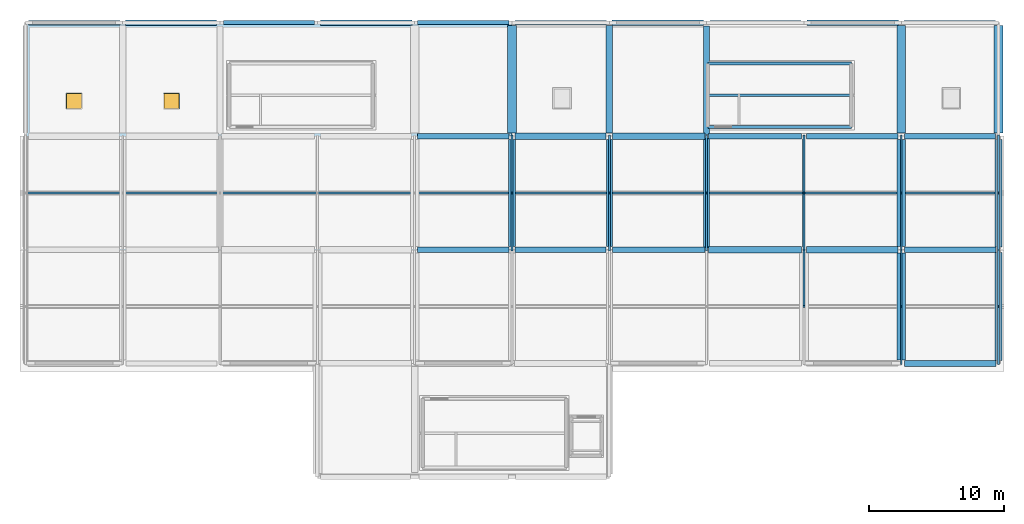
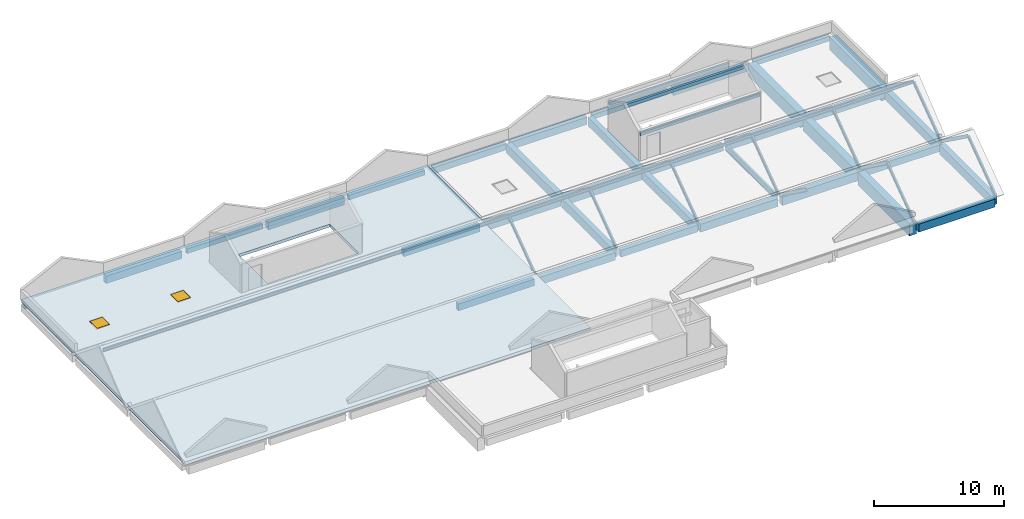
# One storey, part 2 of 5: 39 beams, 18 members, 2 doors, 1 slab, 2 openings.
"""IFC4 building model written with IfcOpenShell, lengths in metres."""

from ifc_helpers import new_model, si_unit, direction, frame, origin, origin_2d, place, context, subcontext, project, spatial, polyline, rectangle, i_section, outline, extrude, material, layer, layer_set, material_profile, profile_set, type_object, element, fill, save


model = new_model("IFC4")

# Units and contexts
model_context = context("Model", 3, precision=1e-05, world=origin(), true_north=direction((0.0, 1.0)))
body_context = subcontext(model_context, "Body", "Model", "MODEL_VIEW")
ifc_project = project(units=[si_unit("LENGTHUNIT", "METRE"), si_unit("AREAUNIT", "SQUARE_METRE"), si_unit("VOLUMEUNIT", "CUBIC_METRE"), si_unit("PLANEANGLEUNIT", "RADIAN"), si_unit("MASSUNIT", "GRAM", prefix="KILO")], contexts=[model_context])

# Site, building, storey
site_placement = place(None, origin())
site = spatial("IfcSite", under=ifc_project, at=site_placement, CompositionType="ELEMENT")
building_placement = place(site_placement, origin())
building = spatial("IfcBuilding", under=site, at=building_placement, Name="Kalluvel Institute of Natural Sciences", CompositionType="ELEMENT")
storey_placement = place(building_placement, frame((0.0, 0.0, 41.39990234375)))
storey = spatial("IfcBuildingStorey", under=building, at=storey_placement, Name="RF", CompositionType="ELEMENT", Elevation=41.39990234375)

# Beams
ifc_material_1 = material(Name="Steel E350 Grade 350", Category="steel")
ifc_material_profile_1 = material_profile(ifc_material_1, i_section(OverallWidth=0.18994140625, OverallDepth=0.550048828125, WebThickness=0.01123046875, FlangeThickness=0.019287109375, FilletRadius=0.01806640625, at=origin_2d()), Name="ISMB 550")
ifc_profile_set_1 = profile_set([ifc_material_profile_1], Name="Steel E350 Grade 350")
beam_type_1 = type_object("IfcBeamType", Name="BM-ISMB550", PredefinedType="BEAM", material=ifc_profile_set_1)
beam_1_placement = place(storey_placement, frame((71.60009765625, 111.39990234375, -0.594970703125), z_axis=(0.0, 1.0, 0.0), x_axis=(-1.0, 0.0, 0.0)))
element("IfcBeam", 1, at=beam_1_placement, inside=storey, type_object=beam_type_1, Name="RF girder GIR-RF-NS-X716-Y1112", PredefinedType="BEAM", context=body_context, shape_type="SweptSolid", body=[
    extrude(i_section(OverallWidth=0.18994140625, OverallDepth=0.550048828125, WebThickness=0.01123046875, FlangeThickness=0.019287109375, FilletRadius=0.01806640625, at=origin_2d()), origin(), (0.0, 0.0, 1.0), 8.0),
])
ifc_material_2 = material(Name="Concrete M40", Category="concrete")
ifc_material_profile_2 = material_profile(ifc_material_2, rectangle(XDim=0.3798828125, YDim=0.639892578125, at=origin_2d()), Name="RCB 380x640")
ifc_profile_set_2 = profile_set([ifc_material_profile_2], Name="Concrete M40")
beam_type_2 = type_object("IfcBeamType", Name="BM-RC380x640", PredefinedType="BEAM", material=ifc_profile_set_2)
beam_2_placement = place(storey_placement, frame((43.02490234375, 111.199951171875, -0.639892578125), z_axis=(1.0, 0.0, 0.0), x_axis=(0.0, 1.0, 0.0)))
element("IfcBeam", 2, at=beam_2_placement, inside=storey, type_object=beam_type_2, Name="RF girder GIR-RF-EW-X428-Y1112", PredefinedType="BEAM", context=body_context, shape_type="SweptSolid", body=[
    extrude(rectangle(XDim=0.3798828125, YDim=0.639892578125, at=origin_2d()), origin(), (0.0, 0.0, 1.0), 6.75),
])
beam_3_placement = place(storey_placement, frame((79.02490234375, 111.199951171875, -0.639892578125), z_axis=(1.0, 0.0, 0.0), x_axis=(0.0, 1.0, 0.0)))
element("IfcBeam", 3, at=beam_3_placement, inside=storey, type_object=beam_type_2, Name="RF girder GIR-RF-EW-X788-Y1112", PredefinedType="BEAM", context=body_context, shape_type="SweptSolid", body=[
    extrude(rectangle(XDim=0.3798828125, YDim=0.639892578125, at=origin_2d()), origin(), (0.0, 0.0, 1.0), 6.775146484375),
])
beam_4_placement = place(storey_placement, frame((64.52490234375, 119.60009765625, -0.639892578125), z_axis=(1.0, 0.0, 0.0), x_axis=(0.0, 1.0, 0.0)))
element("IfcBeam", 4, at=beam_4_placement, inside=storey, type_object=beam_type_2, Name="RF girder GIR-RF-EW-X644-Y1196", PredefinedType="BEAM", context=body_context, shape_type="SweptSolid", body=[
    extrude(rectangle(XDim=0.3798828125, YDim=0.639892578125, at=origin_2d()), origin(), (0.0, 0.0, 1.0), 6.875),
])
ifc_material_profile_3 = material_profile(ifc_material_2, rectangle(XDim=0.39990234375, YDim=0.64990234375, at=origin_2d()), Name="RCB 400x650")
ifc_profile_set_3 = profile_set([ifc_material_profile_3], Name="Concrete M40")
beam_type_3 = type_object("IfcBeamType", Name="BM-RC400x650", PredefinedType="BEAM", material=ifc_profile_set_3)
beam_5_placement = place(storey_placement, frame((57.449951171875, 111.199951171875, -0.64501953125), z_axis=(1.0, 0.0, 0.0), x_axis=(0.0, 1.0, 0.0)))
element("IfcBeam", 5, at=beam_5_placement, inside=storey, type_object=beam_type_3, Name="RF girder GIR-RF-EW-X572-Y1112", PredefinedType="BEAM", context=body_context, shape_type="SweptSolid", body=[
    extrude(rectangle(XDim=0.39990234375, YDim=0.64990234375, at=origin_2d()), origin(), (0.0, 0.0, 1.0), 6.824951171875),
])
for number, where, z_axis, x_axis, name in (
    (6, (43.02490234375, 119.60009765625, -0.64501953125), (1.0, 0.0, 0.0), (0.0, 1.0, 0.0), "RF girder GIR-RF-EW-X428-Y1196"),
    (7, (79.02490234375, 119.60009765625, -0.64501953125), (1.0, 0.0, 0.0), (0.0, 1.0, 0.0), "RF girder GIR-RF-EW-X788-Y1196"),
):
    element("IfcBeam", number, at=place(storey_placement, frame(where, z_axis=z_axis, x_axis=x_axis)), inside=storey, type_object=beam_type_3, Name=name, PredefinedType="BEAM", context=body_context, shape_type="SweptSolid", body=[
        extrude(rectangle(XDim=0.39990234375, YDim=0.64990234375, at=origin_2d()), origin(), (0.0, 0.0, 1.0), 6.75),
    ])
ifc_material_profile_4 = material_profile(ifc_material_2, rectangle(XDim=0.419921875, YDim=0.719970703125, at=origin_2d()), Name="RCB 420x720")
ifc_profile_set_4 = profile_set([ifc_material_profile_4], Name="Concrete M40")
beam_type_4 = type_object("IfcBeamType", Name="BM-RC420x720", PredefinedType="BEAM", material=ifc_profile_set_4)
beam_6_placement = place(storey_placement, frame((50.22509765625, 111.199951171875, -0.679931640625), z_axis=(1.0, 0.0, 0.0), x_axis=(0.0, 1.0, 0.0)))
element("IfcBeam", 8, at=beam_6_placement, inside=storey, type_object=beam_type_4, Name="RF girder GIR-RF-EW-X500-Y1112", PredefinedType="BEAM", context=body_context, shape_type="SweptSolid", body=[
    extrude(rectangle(XDim=0.419921875, YDim=0.719970703125, at=origin_2d()), origin(), (0.0, 0.0, 1.0), 6.724853515625),
])
beam_7_placement = place(storey_placement, frame((71.800048828125, 119.60009765625, -0.679931640625), z_axis=(1.0, 0.0, 0.0), x_axis=(0.0, 1.0, 0.0)))
element("IfcBeam", 9, at=beam_7_placement, inside=storey, type_object=beam_type_4, Name="RF girder GIR-RF-EW-X716-Y1196", PredefinedType="BEAM", context=body_context, shape_type="SweptSolid", body=[
    extrude(rectangle(XDim=0.419921875, YDim=0.719970703125, at=origin_2d()), origin(), (0.0, 0.0, 1.0), 6.77490234375),
])
ifc_material_profile_5 = material_profile(ifc_material_2, rectangle(XDim=0.449951171875, YDim=0.75, at=origin_2d()), Name="RCB 450x750")
ifc_profile_set_5 = profile_set([ifc_material_profile_5], Name="Concrete M40")
beam_type_5 = type_object("IfcBeamType", Name="BM-RC450x750", PredefinedType="BEAM", material=ifc_profile_set_5)
beam_8_placement = place(storey_placement, frame((79.050048828125, 102.800048828125, -0.69482421875), z_axis=(1.0, 0.0, 0.0), x_axis=(0.0, 1.0, 0.0)))
element("IfcBeam", 10, at=beam_8_placement, inside=storey, type_object=beam_type_5, Name="RF girder GIR-RF-EW-X788-Y1028", PredefinedType="BEAM", context=body_context, shape_type="SweptSolid", body=[
    extrude(rectangle(XDim=0.449951171875, YDim=0.75, at=origin_2d()), origin(), (0.0, 0.0, 1.0), 6.75),
])
beam_9_placement = place(storey_placement, frame((64.52490234375, 111.199951171875, -0.69482421875), z_axis=(1.0, 0.0, 0.0), x_axis=(0.0, 1.0, 0.0)))
element("IfcBeam", 11, at=beam_9_placement, inside=storey, type_object=beam_type_5, Name="RF girder GIR-RF-EW-X644-Y1112", PredefinedType="BEAM", context=body_context, shape_type="SweptSolid", body=[
    extrude(rectangle(XDim=0.449951171875, YDim=0.75, at=origin_2d()), origin(), (0.0, 0.0, 1.0), 6.875),
])
beam_10_placement = place(storey_placement, frame((50.22509765625, 119.60009765625, -0.69482421875), z_axis=(1.0, 0.0, 0.0), x_axis=(0.0, 1.0, 0.0)))
element("IfcBeam", 12, at=beam_10_placement, inside=storey, type_object=beam_type_5, Name="RF girder GIR-RF-EW-X500-Y1196", PredefinedType="BEAM", context=body_context, shape_type="SweptSolid", body=[
    extrude(rectangle(XDim=0.449951171875, YDim=0.75, at=origin_2d()), origin(), (0.0, 0.0, 1.0), 6.724853515625),
])
ifc_material_profile_6 = material_profile(ifc_material_2, rectangle(XDim=0.449951171875, YDim=0.800048828125, at=origin_2d()), Name="RCB 450x800")
ifc_profile_set_6 = profile_set([ifc_material_profile_6], Name="Concrete M40")
beam_type_6 = type_object("IfcBeamType", Name="BM-RC450x800", PredefinedType="BEAM", material=ifc_profile_set_6)
beam_11_placement = place(storey_placement, frame((71.800048828125, 111.199951171875, -0.719970703125), z_axis=(1.0, 0.0, 0.0), x_axis=(0.0, 1.0, 0.0)))
element("IfcBeam", 13, at=beam_11_placement, inside=storey, type_object=beam_type_6, Name="RF girder GIR-RF-EW-X716-Y1112", PredefinedType="BEAM", context=body_context, shape_type="SweptSolid", body=[
    extrude(rectangle(XDim=0.449951171875, YDim=0.800048828125, at=origin_2d()), origin(), (0.0, 0.0, 1.0), 6.77490234375),
])
beam_12_placement = place(storey_placement, frame((57.449951171875, 119.60009765625, -0.719970703125), z_axis=(1.0, 0.0, 0.0), x_axis=(0.0, 1.0, 0.0)))
element("IfcBeam", 14, at=beam_12_placement, inside=storey, type_object=beam_type_6, Name="RF girder GIR-RF-EW-X572-Y1196", PredefinedType="BEAM", context=body_context, shape_type="SweptSolid", body=[
    extrude(rectangle(XDim=0.449951171875, YDim=0.800048828125, at=origin_2d()), origin(), (0.0, 0.0, 1.0), 6.824951171875),
])
beam_13_placement = place(storey_placement, frame((57.199951171875, 111.449951171875, -0.719970703125), z_axis=(0.0, 1.0, 0.0), x_axis=(-1.0, 0.0, 0.0)))
element("IfcBeam", 15, at=beam_13_placement, inside=storey, type_object=beam_type_6, Name="RF girder GIR-RF-NS-X572-Y1112", PredefinedType="BEAM", context=body_context, shape_type="SweptSolid", body=[
    extrude(rectangle(XDim=0.449951171875, YDim=0.800048828125, at=origin_2d()), origin(), (0.0, 0.0, 1.0), 7.900146484375),
])
beam_14_placement = place(storey_placement, frame((64.39990234375, 111.324951171875, -0.719970703125), z_axis=(0.0, 1.0, 0.0), x_axis=(-1.0, 0.0, 0.0)))
element("IfcBeam", 16, at=beam_14_placement, inside=storey, type_object=beam_type_6, Name="RF girder GIR-RF-NS-X644-Y1112", PredefinedType="BEAM", context=body_context, shape_type="SweptSolid", body=[
    extrude(rectangle(XDim=0.449951171875, YDim=0.800048828125, at=origin_2d()), origin(), (0.0, 0.0, 1.0), 8.150146484375),
])
beam_15_placement = place(storey_placement, frame((64.39990234375, 119.72509765625, -0.719970703125), z_axis=(0.0, 1.0, 0.0), x_axis=(-1.0, 0.0, 0.0)))
element("IfcBeam", 17, at=beam_15_placement, inside=storey, type_object=beam_type_6, Name="RF girder GIR-RF-NS-X644-Y1196", PredefinedType="BEAM", context=body_context, shape_type="SweptSolid", body=[
    extrude(rectangle(XDim=0.449951171875, YDim=0.800048828125, at=origin_2d()), origin(), (0.0, 0.0, 1.0), 8.02490234375),
])
ifc_material_3 = material(Name="Concrete M50", Category="concrete")
ifc_material_profile_7 = material_profile(ifc_material_3, rectangle(XDim=0.5, YDim=0.85009765625, at=origin_2d()), Name="RCB 500x850")
ifc_profile_set_7 = profile_set([ifc_material_profile_7], Name="Concrete M50")
beam_type_7 = type_object("IfcBeamType", Name="BM-RC500x850", PredefinedType="BEAM", material=ifc_profile_set_7)
for number, where, z_axis, x_axis, name in (
    (18, (50.0, 111.425048828125, -0.744873046875), (0.0, 1.0, 0.0), (-1.0, 0.0, 0.0), "RF girder GIR-RF-NS-X500-Y1112"),
    (19, (57.199951171875, 119.85009765625, -0.744873046875), (0.0, 1.0, 0.0), (-1.0, 0.0, 0.0), "RF girder GIR-RF-NS-X572-Y1196"),
):
    element("IfcBeam", number, at=place(storey_placement, frame(where, z_axis=z_axis, x_axis=x_axis)), inside=storey, type_object=beam_type_7, Name=name, PredefinedType="BEAM", context=body_context, shape_type="SweptSolid", body=[
        extrude(rectangle(XDim=0.5, YDim=0.85009765625, at=origin_2d()), origin(), (0.0, 0.0, 1.0), 7.949951171875),
    ])
beam_16_placement = place(storey_placement, frame((86.0, 103.0, -0.744873046875), z_axis=(0.0, 1.0, 0.0), x_axis=(-1.0, 0.0, 0.0)))
element("IfcBeam", 20, at=beam_16_placement, inside=storey, type_object=beam_type_7, Name="RF girder GIR-RF-NS-X860-Y1028", PredefinedType="BEAM", context=body_context, shape_type="SweptSolid", body=[
    extrude(rectangle(XDim=0.5, YDim=0.85009765625, at=origin_2d()), origin(), (0.0, 0.0, 1.0), 8.0),
])
beam_17_placement = place(storey_placement, frame((86.0, 111.39990234375, -0.744873046875), z_axis=(0.0, 1.0, 0.0), x_axis=(-1.0, 0.0, 0.0)))
element("IfcBeam", 21, at=beam_17_placement, inside=storey, type_object=beam_type_7, Name="RF girder GIR-RF-NS-X860-Y1112", PredefinedType="BEAM", context=body_context, shape_type="SweptSolid", body=[
    extrude(rectangle(XDim=0.5, YDim=0.85009765625, at=origin_2d()), origin(), (0.0, 0.0, 1.0), 7.97509765625),
])
ifc_material_profile_8 = material_profile(ifc_material_3, rectangle(XDim=0.64990234375, YDim=1.199951171875, at=origin_2d()), Name="RCB 650x1200")
ifc_profile_set_8 = profile_set([ifc_material_profile_8], Name="Concrete M50")
beam_type_8 = type_object("IfcBeamType", Name="BM-RC650x1200", PredefinedType="BEAM", material=ifc_profile_set_8)
beam_18_placement = place(storey_placement, frame((50.0, 119.824951171875, -0.919921875), z_axis=(0.0, 1.0, 0.0), x_axis=(-1.0, 0.0, 0.0)))
element("IfcBeam", 22, at=beam_18_placement, inside=storey, type_object=beam_type_8, Name="RF girder GIR-RF-NS-X500-Y1196", PredefinedType="BEAM", context=body_context, shape_type="SweptSolid", body=[
    extrude(rectangle(XDim=0.64990234375, YDim=1.199951171875, at=origin_2d()), origin(), (0.0, 0.0, 1.0), 7.949951171875),
])
beam_19_placement = place(storey_placement, frame((78.800048828125, 103.050048828125, -0.919921875), z_axis=(0.0, 1.0, 0.0), x_axis=(-1.0, 0.0, 0.0)))
element("IfcBeam", 23, at=beam_19_placement, inside=storey, type_object=beam_type_8, Name="RF girder GIR-RF-NS-X788-Y1028", PredefinedType="BEAM", context=body_context, shape_type="SweptSolid", body=[
    extrude(rectangle(XDim=0.64990234375, YDim=1.199951171875, at=origin_2d()), origin(), (0.0, 0.0, 1.0), 7.925048828125),
])
beam_20_placement = place(storey_placement, frame((78.800048828125, 111.425048828125, -0.919921875), z_axis=(0.0, 1.0, 0.0), x_axis=(-1.0, 0.0, 0.0)))
element("IfcBeam", 24, at=beam_20_placement, inside=storey, type_object=beam_type_8, Name="RF girder GIR-RF-NS-X788-Y1112", PredefinedType="BEAM", context=body_context, shape_type="SweptSolid", body=[
    extrude(rectangle(XDim=0.64990234375, YDim=1.199951171875, at=origin_2d()), origin(), (0.0, 0.0, 1.0), 7.949951171875),
])
beam_21_placement = place(storey_placement, frame((78.800048828125, 119.824951171875, -0.919921875), z_axis=(0.0, 1.0, 0.0), x_axis=(-1.0, 0.0, 0.0)))
element("IfcBeam", 25, at=beam_21_placement, inside=storey, type_object=beam_type_8, Name="RF girder GIR-RF-NS-X788-Y1196", PredefinedType="BEAM", context=body_context, shape_type="SweptSolid", body=[
    extrude(rectangle(XDim=0.64990234375, YDim=1.199951171875, at=origin_2d()), origin(), (0.0, 0.0, 1.0), 7.97509765625),
])
beam_22_placement = place(storey_placement, frame((86.0, 119.824951171875, -0.919921875), z_axis=(0.0, 1.0, 0.0), x_axis=(-1.0, 0.0, 0.0)))
element("IfcBeam", 26, at=beam_22_placement, inside=storey, type_object=beam_type_8, Name="RF girder GIR-RF-NS-X860-Y1196", PredefinedType="BEAM", context=body_context, shape_type="SweptSolid", body=[
    extrude(rectangle(XDim=0.64990234375, YDim=1.199951171875, at=origin_2d()), origin(), (0.0, 0.0, 1.0), 7.949951171875),
])
ifc_material_4 = material(Name="Sadarahalli Granite Precast Concrete M45", Category="masonry")
ifc_material_profile_9 = material_profile(ifc_material_4, rectangle(XDim=0.199951171875, YDim=0.300048828125, at=origin_2d()), Name="LIN 200x300")
ifc_profile_set_9 = profile_set([ifc_material_profile_9], Name="Sadarahalli Granite Precast Concrete M45")
beam_type_9 = type_object("IfcBeamType", Name="LN-200x300-INT", PredefinedType="LINTEL", material=ifc_profile_set_9)
for number, where, z_axis, x_axis, name in (
    (27, (64.485107421875, 122.635009765625, 3.739990234375), (1.0, 0.0, 0.0), (0.0, 1.0, 0.0), "ST2 headhouse ridge beam"),
    (28, (64.485107421875, 120.284912109375, 2.5400390625), (1.0, 0.0, 0.0), (0.0, 1.0, 0.0), "ST2 headhouse S eave beam"),
    (29, (64.485107421875, 124.985107421875, 2.5400390625), (1.0, 0.0, 0.0), (0.0, 1.0, 0.0), "ST2 headhouse N eave beam"),
):
    element("IfcBeam", number, at=place(storey_placement, frame(where, z_axis=z_axis, x_axis=x_axis)), inside=storey, type_object=beam_type_9, Name=name, PredefinedType="LINTEL", context=body_context, shape_type="SweptSolid", body=[
        extrude(rectangle(XDim=0.199951171875, YDim=0.300048828125, at=origin_2d()), origin(), (0.0, 0.0, 1.0), 10.6298828125),
    ])

# Members
ifc_material_profile_10 = material_profile(ifc_material_1, i_section(OverallWidth=0.125, OverallDepth=0.25, WebThickness=0.0068359375, FlangeThickness=0.012451171875, FilletRadius=0.012939453125, at=origin_2d()), Name="ISMB 250")
ifc_profile_set_10 = profile_set([ifc_material_profile_10], Name="Steel E350 Grade 350")
member_type_1 = type_object("IfcMemberType", Name="MB-PURL-ATTIC", PredefinedType="PURLIN", material=ifc_profile_set_10)
member_1_placement = place(storey_placement, frame((14.0, 115.39990234375, 2.8701171875), z_axis=(1.0, 0.0, 0.0), x_axis=(0.0, 1.0, 0.0)))
element("IfcMember", 30, at=member_1_placement, inside=storey, type_object=member_type_1, Name="Wet Wing Gothic roof ridge purlin 2", PredefinedType="PURLIN", context=body_context, shape_type="SweptSolid", body=[
    extrude(i_section(OverallWidth=0.125, OverallDepth=0.25, WebThickness=0.0068359375, FlangeThickness=0.012451171875, FilletRadius=0.012939453125, at=origin_2d()), origin(), (0.0, 0.0, 1.0), 72.0),
])
ifc_material_profile_11 = material_profile(ifc_material_1, i_section(OverallWidth=0.139892578125, OverallDepth=0.300048828125, WebThickness=0.0078125, FlangeThickness=0.01318359375, FilletRadius=0.013916015625, at=origin_2d()), Name="ISMB 300")
ifc_profile_set_11 = profile_set([ifc_material_profile_11], Name="Steel E350 Grade 350")
member_type_2 = type_object("IfcMemberType", Name="MB-RAFT-ISMB300", PredefinedType="RAFTER", material=ifc_profile_set_11)
for number, where, z_axis, x_axis, name in (
    (31, (71.60009765625, 111.199951171875, -0.179931640625), (0.0, -0.809144712888, 0.587609422665), (1.0, 0.0, 0.0), "Wet Wing Gothic roof north rafter 1.9"),
    (32, (78.800048828125, 102.800048828125, -0.179931640625), (0.0, 0.809144712888, 0.587609422665), (-1.0, 0.0, 0.0), "Wet Wing Gothic roof south rafter 1.10"),
    (33, (78.800048828125, 111.199951171875, -0.179931640625), (0.0, -0.809144712888, 0.587609422665), (1.0, 0.0, 0.0), "Wet Wing Gothic roof north rafter 1.10"),
    (34, (86.0, 102.800048828125, -0.179931640625), (0.0, 0.809144712888, 0.587609422665), (-1.0, 0.0, 0.0), "Wet Wing Gothic roof south rafter 1.11"),
    (35, (86.0, 111.199951171875, -0.179931640625), (0.0, -0.809144712888, 0.587609422665), (1.0, 0.0, 0.0), "Wet Wing Gothic roof north rafter 1.11"),
    (36, (50.0, 111.199951171875, -0.179931640625), (0.0, 0.809144712888, 0.587609422665), (-1.0, 0.0, 0.0), "Wet Wing Gothic roof south rafter 2.6"),
):
    element("IfcMember", number, at=place(storey_placement, frame(where, z_axis=z_axis, x_axis=x_axis)), inside=storey, type_object=member_type_2, Name=name, PredefinedType="RAFTER", context=body_context, shape_type="SweptSolid", body=[
        extrude(i_section(OverallWidth=0.139892578125, OverallDepth=0.300048828125, WebThickness=0.0078125, FlangeThickness=0.01318359375, FilletRadius=0.013916015625, at=origin_2d()), origin(), (0.0, 0.0, 1.0), 5.190673828125),
    ])
member_2_placement = place(storey_placement, frame((50.0, 119.60009765625, -0.179931640625), z_axis=(0.0, -0.809160952466, 0.587587059937), x_axis=(1.0, 0.0, 0.0)))
element("IfcMember", 37, at=member_2_placement, inside=storey, type_object=member_type_2, Name="Wet Wing Gothic roof north rafter 2.6", PredefinedType="RAFTER", context=body_context, shape_type="SweptSolid", body=[
    extrude(i_section(OverallWidth=0.139892578125, OverallDepth=0.300048828125, WebThickness=0.0078125, FlangeThickness=0.01318359375, FilletRadius=0.013916015625, at=origin_2d()), origin(), (0.0, 0.0, 1.0), 5.19091796875),
])
member_3_placement = place(storey_placement, frame((57.199951171875, 111.199951171875, -0.179931640625), z_axis=(0.0, 0.809144712888, 0.587609422665), x_axis=(-1.0, 0.0, 0.0)))
element("IfcMember", 38, at=member_3_placement, inside=storey, type_object=member_type_2, Name="Wet Wing Gothic roof south rafter 2.7", PredefinedType="RAFTER", context=body_context, shape_type="SweptSolid", body=[
    extrude(i_section(OverallWidth=0.139892578125, OverallDepth=0.300048828125, WebThickness=0.0078125, FlangeThickness=0.01318359375, FilletRadius=0.013916015625, at=origin_2d()), origin(), (0.0, 0.0, 1.0), 5.190673828125),
])
member_4_placement = place(storey_placement, frame((57.199951171875, 119.60009765625, -0.179931640625), z_axis=(0.0, -0.809160952466, 0.587587059937), x_axis=(1.0, 0.0, 0.0)))
element("IfcMember", 39, at=member_4_placement, inside=storey, type_object=member_type_2, Name="Wet Wing Gothic roof north rafter 2.7", PredefinedType="RAFTER", context=body_context, shape_type="SweptSolid", body=[
    extrude(i_section(OverallWidth=0.139892578125, OverallDepth=0.300048828125, WebThickness=0.0078125, FlangeThickness=0.01318359375, FilletRadius=0.013916015625, at=origin_2d()), origin(), (0.0, 0.0, 1.0), 5.19091796875),
])
member_5_placement = place(storey_placement, frame((64.39990234375, 111.199951171875, -0.179931640625), z_axis=(0.0, 0.809144712888, 0.587609422665), x_axis=(-1.0, 0.0, 0.0)))
element("IfcMember", 40, at=member_5_placement, inside=storey, type_object=member_type_2, Name="Wet Wing Gothic roof south rafter 2.8", PredefinedType="RAFTER", context=body_context, shape_type="SweptSolid", body=[
    extrude(i_section(OverallWidth=0.139892578125, OverallDepth=0.300048828125, WebThickness=0.0078125, FlangeThickness=0.01318359375, FilletRadius=0.013916015625, at=origin_2d()), origin(), (0.0, 0.0, 1.0), 5.190673828125),
])
member_6_placement = place(storey_placement, frame((64.39990234375, 119.60009765625, -0.179931640625), z_axis=(0.0, -0.809160952466, 0.587587059937), x_axis=(1.0, 0.0, 0.0)))
element("IfcMember", 41, at=member_6_placement, inside=storey, type_object=member_type_2, Name="Wet Wing Gothic roof north rafter 2.8", PredefinedType="RAFTER", context=body_context, shape_type="SweptSolid", body=[
    extrude(i_section(OverallWidth=0.139892578125, OverallDepth=0.300048828125, WebThickness=0.0078125, FlangeThickness=0.01318359375, FilletRadius=0.013916015625, at=origin_2d()), origin(), (0.0, 0.0, 1.0), 5.19091796875),
])
member_7_placement = place(storey_placement, frame((71.60009765625, 111.199951171875, -0.179931640625), z_axis=(0.0, 0.809144712888, 0.587609422665), x_axis=(-1.0, 0.0, 0.0)))
element("IfcMember", 42, at=member_7_placement, inside=storey, type_object=member_type_2, Name="Wet Wing Gothic roof south rafter 2.9", PredefinedType="RAFTER", context=body_context, shape_type="SweptSolid", body=[
    extrude(i_section(OverallWidth=0.139892578125, OverallDepth=0.300048828125, WebThickness=0.0078125, FlangeThickness=0.01318359375, FilletRadius=0.013916015625, at=origin_2d()), origin(), (0.0, 0.0, 1.0), 5.190673828125),
])
member_8_placement = place(storey_placement, frame((71.60009765625, 119.60009765625, -0.179931640625), z_axis=(0.0, -0.809160952466, 0.587587059937), x_axis=(1.0, 0.0, 0.0)))
element("IfcMember", 43, at=member_8_placement, inside=storey, type_object=member_type_2, Name="Wet Wing Gothic roof north rafter 2.9", PredefinedType="RAFTER", context=body_context, shape_type="SweptSolid", body=[
    extrude(i_section(OverallWidth=0.139892578125, OverallDepth=0.300048828125, WebThickness=0.0078125, FlangeThickness=0.01318359375, FilletRadius=0.013916015625, at=origin_2d()), origin(), (0.0, 0.0, 1.0), 5.19091796875),
])
member_9_placement = place(storey_placement, frame((78.800048828125, 111.199951171875, -0.179931640625), z_axis=(0.0, 0.809144712888, 0.587609422665), x_axis=(-1.0, 0.0, 0.0)))
element("IfcMember", 44, at=member_9_placement, inside=storey, type_object=member_type_2, Name="Wet Wing Gothic roof south rafter 2.10", PredefinedType="RAFTER", context=body_context, shape_type="SweptSolid", body=[
    extrude(i_section(OverallWidth=0.139892578125, OverallDepth=0.300048828125, WebThickness=0.0078125, FlangeThickness=0.01318359375, FilletRadius=0.013916015625, at=origin_2d()), origin(), (0.0, 0.0, 1.0), 5.190673828125),
])
member_10_placement = place(storey_placement, frame((78.800048828125, 119.60009765625, -0.179931640625), z_axis=(0.0, -0.809160952466, 0.587587059937), x_axis=(1.0, 0.0, 0.0)))
element("IfcMember", 45, at=member_10_placement, inside=storey, type_object=member_type_2, Name="Wet Wing Gothic roof north rafter 2.10", PredefinedType="RAFTER", context=body_context, shape_type="SweptSolid", body=[
    extrude(i_section(OverallWidth=0.139892578125, OverallDepth=0.300048828125, WebThickness=0.0078125, FlangeThickness=0.01318359375, FilletRadius=0.013916015625, at=origin_2d()), origin(), (0.0, 0.0, 1.0), 5.19091796875),
])
member_11_placement = place(storey_placement, frame((86.0, 111.199951171875, -0.179931640625), z_axis=(0.0, 0.809144712888, 0.587609422665), x_axis=(-1.0, 0.0, 0.0)))
element("IfcMember", 46, at=member_11_placement, inside=storey, type_object=member_type_2, Name="Wet Wing Gothic roof south rafter 2.11", PredefinedType="RAFTER", context=body_context, shape_type="SweptSolid", body=[
    extrude(i_section(OverallWidth=0.139892578125, OverallDepth=0.300048828125, WebThickness=0.0078125, FlangeThickness=0.01318359375, FilletRadius=0.013916015625, at=origin_2d()), origin(), (0.0, 0.0, 1.0), 5.190673828125),
])
member_12_placement = place(storey_placement, frame((86.0, 119.60009765625, -0.179931640625), z_axis=(0.0, -0.809160952466, 0.587587059937), x_axis=(1.0, 0.0, 0.0)))
element("IfcMember", 47, at=member_12_placement, inside=storey, type_object=member_type_2, Name="Wet Wing Gothic roof north rafter 2.11", PredefinedType="RAFTER", context=body_context, shape_type="SweptSolid", body=[
    extrude(i_section(OverallWidth=0.139892578125, OverallDepth=0.300048828125, WebThickness=0.0078125, FlangeThickness=0.01318359375, FilletRadius=0.013916015625, at=origin_2d()), origin(), (0.0, 0.0, 1.0), 5.19091796875),
])

# Beams
ifc_material_profile_12 = material_profile(ifc_material_2, rectangle(XDim=0.300048828125, YDim=0.449951171875, at=origin_2d()), Name="RCB 300x450")
ifc_profile_set_12 = profile_set([ifc_material_profile_12], Name="Concrete M40")
beam_type_10 = type_object("IfcBeamType", Name="SP-RC300x450", PredefinedType="SPANDREL", material=ifc_profile_set_12)
beam_23_placement = place(storey_placement, frame((28.64990234375, 128.0, -0.544921875), z_axis=(1.0, 0.0, 0.0), x_axis=(0.0, 1.0, 0.0)))
element("IfcBeam", 48, at=beam_23_placement, inside=storey, type_object=beam_type_10, Name="RF girder GIR-RF-EW-X284-Y1280", PredefinedType="SPANDREL", context=body_context, shape_type="SweptSolid", body=[
    extrude(rectangle(XDim=0.300048828125, YDim=0.449951171875, at=origin_2d()), origin(), (0.0, 0.0, 1.0), 6.72509765625),
])
beam_24_placement = place(storey_placement, frame((43.0, 128.0, -0.544921875), z_axis=(1.0, 0.0, 0.0), x_axis=(0.0, 1.0, 0.0)))
element("IfcBeam", 49, at=beam_24_placement, inside=storey, type_object=beam_type_10, Name="RF girder GIR-RF-EW-X428-Y1280", PredefinedType="SPANDREL", context=body_context, shape_type="SweptSolid", body=[
    extrude(rectangle(XDim=0.300048828125, YDim=0.449951171875, at=origin_2d()), origin(), (0.0, 0.0, 1.0), 6.77490234375),
])
beam_25_placement = place(storey_placement, frame((64.64990234375, 128.0, -0.544921875), z_axis=(1.0, 0.0, 0.0), x_axis=(0.0, 1.0, 0.0)))
element("IfcBeam", 50, at=beam_25_placement, inside=storey, type_object=beam_type_10, Name="RF girder GIR-RF-EW-X644-Y1280", PredefinedType="SPANDREL", context=body_context, shape_type="SweptSolid", body=[
    extrude(rectangle(XDim=0.300048828125, YDim=0.449951171875, at=origin_2d()), origin(), (0.0, 0.0, 1.0), 6.72509765625),
])
beam_26_placement = place(storey_placement, frame((79.0, 128.0, -0.544921875), z_axis=(1.0, 0.0, 0.0), x_axis=(0.0, 1.0, 0.0)))
element("IfcBeam", 51, at=beam_26_placement, inside=storey, type_object=beam_type_10, Name="RF girder GIR-RF-EW-X788-Y1280", PredefinedType="SPANDREL", context=body_context, shape_type="SweptSolid", body=[
    extrude(rectangle(XDim=0.300048828125, YDim=0.449951171875, at=origin_2d()), origin(), (0.0, 0.0, 1.0), 6.77490234375),
])
ifc_material_profile_13 = material_profile(ifc_material_2, rectangle(XDim=0.35009765625, YDim=0.60009765625, at=origin_2d()), Name="RCB 350x600")
ifc_profile_set_13 = profile_set([ifc_material_profile_13], Name="Concrete M40")
beam_type_11 = type_object("IfcBeamType", Name="SP-RC350x600", PredefinedType="SPANDREL", material=ifc_profile_set_13)
for number, where, z_axis, x_axis, name in (
    (52, (14.22509765625, 128.0, -0.619873046875), (1.0, 0.0, 0.0), (0.0, 1.0, 0.0), "RF girder GIR-RF-EW-X140-Y1280"),
    (53, (50.22509765625, 128.0, -0.619873046875), (1.0, 0.0, 0.0), (0.0, 1.0, 0.0), "RF girder GIR-RF-EW-X500-Y1280"),
):
    element("IfcBeam", number, at=place(storey_placement, frame(where, z_axis=z_axis, x_axis=x_axis)), inside=storey, type_object=beam_type_11, Name=name, PredefinedType="SPANDREL", context=body_context, shape_type="SweptSolid", body=[
        extrude(rectangle(XDim=0.35009765625, YDim=0.60009765625, at=origin_2d()), origin(), (0.0, 0.0, 1.0), 6.77490234375),
    ])
ifc_material_profile_14 = material_profile(ifc_material_2, rectangle(XDim=0.39990234375, YDim=0.699951171875, at=origin_2d()), Name="RCB 400x700")
ifc_profile_set_14 = profile_set([ifc_material_profile_14], Name="Concrete M40")
beam_type_12 = type_object("IfcBeamType", Name="SP-RC400x700", PredefinedType="SPANDREL", material=ifc_profile_set_14)
beam_27_placement = place(storey_placement, frame((21.39990234375, 128.0, -0.669921875), z_axis=(1.0, 0.0, 0.0), x_axis=(0.0, 1.0, 0.0)))
element("IfcBeam", 54, at=beam_27_placement, inside=storey, type_object=beam_type_12, Name="RF girder GIR-RF-EW-X212-Y1280", PredefinedType="SPANDREL", context=body_context, shape_type="SweptSolid", body=[
    extrude(rectangle(XDim=0.39990234375, YDim=0.699951171875, at=origin_2d()), origin(), (0.0, 0.0, 1.0), 6.75),
])
beam_28_placement = place(storey_placement, frame((35.824951171875, 128.0, -0.669921875), z_axis=(1.0, 0.0, 0.0), x_axis=(0.0, 1.0, 0.0)))
element("IfcBeam", 55, at=beam_28_placement, inside=storey, type_object=beam_type_12, Name="RF girder GIR-RF-EW-X356-Y1280", PredefinedType="SPANDREL", context=body_context, shape_type="SweptSolid", body=[
    extrude(rectangle(XDim=0.39990234375, YDim=0.699951171875, at=origin_2d()), origin(), (0.0, 0.0, 1.0), 6.775146484375),
])
beam_29_placement = place(storey_placement, frame((57.39990234375, 128.0, -0.669921875), z_axis=(1.0, 0.0, 0.0), x_axis=(0.0, 1.0, 0.0)))
element("IfcBeam", 56, at=beam_29_placement, inside=storey, type_object=beam_type_12, Name="RF girder GIR-RF-EW-X572-Y1280", PredefinedType="SPANDREL", context=body_context, shape_type="SweptSolid", body=[
    extrude(rectangle(XDim=0.39990234375, YDim=0.699951171875, at=origin_2d()), origin(), (0.0, 0.0, 1.0), 6.75),
])
beam_30_placement = place(storey_placement, frame((71.824951171875, 128.0, -0.669921875), z_axis=(1.0, 0.0, 0.0), x_axis=(0.0, 1.0, 0.0)))
element("IfcBeam", 57, at=beam_30_placement, inside=storey, type_object=beam_type_12, Name="RF girder GIR-RF-EW-X716-Y1280", PredefinedType="SPANDREL", context=body_context, shape_type="SweptSolid", body=[
    extrude(rectangle(XDim=0.39990234375, YDim=0.699951171875, at=origin_2d()), origin(), (0.0, 0.0, 1.0), 6.775146484375),
])

# Slab, openings, doors
ifc_layer = layer(ifc_material_2, 0.280029296875)
ifc_layer_set = layer_set([ifc_layer], Name="Concrete M40")
slab_type = type_object("IfcSlabType", Name="SLB-ROOF-280", PredefinedType="ROOF", material=ifc_layer_set)
slab_placement = place(storey_placement, frame((0.0, 0.0, -0.27978515625)))
slab = element("IfcSlab", 58, at=slab_placement, inside=storey, type_object=slab_type, Name="RF Wet Laboratory Structural Roof Deck West", PredefinedType="ROOF", context=body_context, shape_type="SweptSolid", body=[
    extrude(outline(polyline([(14.0, 102.800048828125), (50.0, 102.800048828125), (50.0, 128.0), (14.0, 128.0), (14.0, 102.800048828125)]), holes=[polyline([(31.468017578125, 120.39990234375), (31.468017578125, 124.8701171875), (39.60009765625, 124.8701171875), (39.60009765625, 120.39990234375), (31.468017578125, 120.39990234375)])]), origin(), (0.0, 0.0, 1.0), 0.27978515625),
])
opening_1_placement = place(slab_placement, frame((17.60009765625, 122.199951171875, 0.0)))
opening_1 = element("IfcOpeningElement", 59, at=opening_1_placement, cuts=slab, Name="Opening RH-01", PredefinedType="OPENING", context=body_context, shape_type="SweptSolid", body=[
    extrude(rectangle(XDim=1.14013671875, YDim=1.14013671875, at=origin_2d()), frame((0.0, 0.0, -0.050048828125)), (0.0, 0.0, 1.0), 0.429931640625),
])
opening_2_placement = place(slab_placement, frame((24.800048828125, 122.199951171875, 0.0)))
opening_2 = element("IfcOpeningElement", 60, at=opening_2_placement, cuts=slab, Name="Opening RH-02", PredefinedType="OPENING", context=body_context, shape_type="SweptSolid", body=[
    extrude(rectangle(XDim=1.14013671875, YDim=1.14013671875, at=origin_2d()), frame((0.0, 0.0, -0.050048828125)), (0.0, 0.0, 1.0), 0.429931640625),
])
door_type = type_object("IfcDoorType", Name="DR-HATCH-1100", OperationType="NOTDEFINED", PredefinedType="TRAPDOOR", material=ifc_material_1)
door_1_placement = place(opening_1_placement, frame((0.0, 0.0, 0.27978515625)))
door_1 = element("IfcDoor", 61, at=door_1_placement, inside=storey, type_object=door_type, Name="RF maintenance roof access hatch RH-01", OperationType="SINGLE_SWING_LEFT", OverallHeight=1.10009765625, OverallWidth=1.10009765625, PredefinedType="TRAPDOOR", context=body_context, shape_type="SweptSolid", body=[
    extrude(rectangle(XDim=1.10009765625, YDim=1.10009765625, at=origin_2d()), origin(), (0.0, 0.0, 1.0), 0.050048828125),
])
fill(opening_1, door_1)
door_2_placement = place(opening_2_placement, frame((0.0, 0.0, 0.27978515625)))
door_2 = element("IfcDoor", 62, at=door_2_placement, inside=storey, type_object=door_type, Name="RF maintenance roof access hatch RH-02", OperationType="SINGLE_SWING_LEFT", OverallHeight=1.10009765625, OverallWidth=1.10009765625, PredefinedType="TRAPDOOR", context=body_context, shape_type="SweptSolid", body=[
    extrude(rectangle(XDim=1.10009765625, YDim=1.10009765625, at=origin_2d()), origin(), (0.0, 0.0, 1.0), 0.050048828125),
])
fill(opening_2, door_2)

save(model, "model.ifc")
